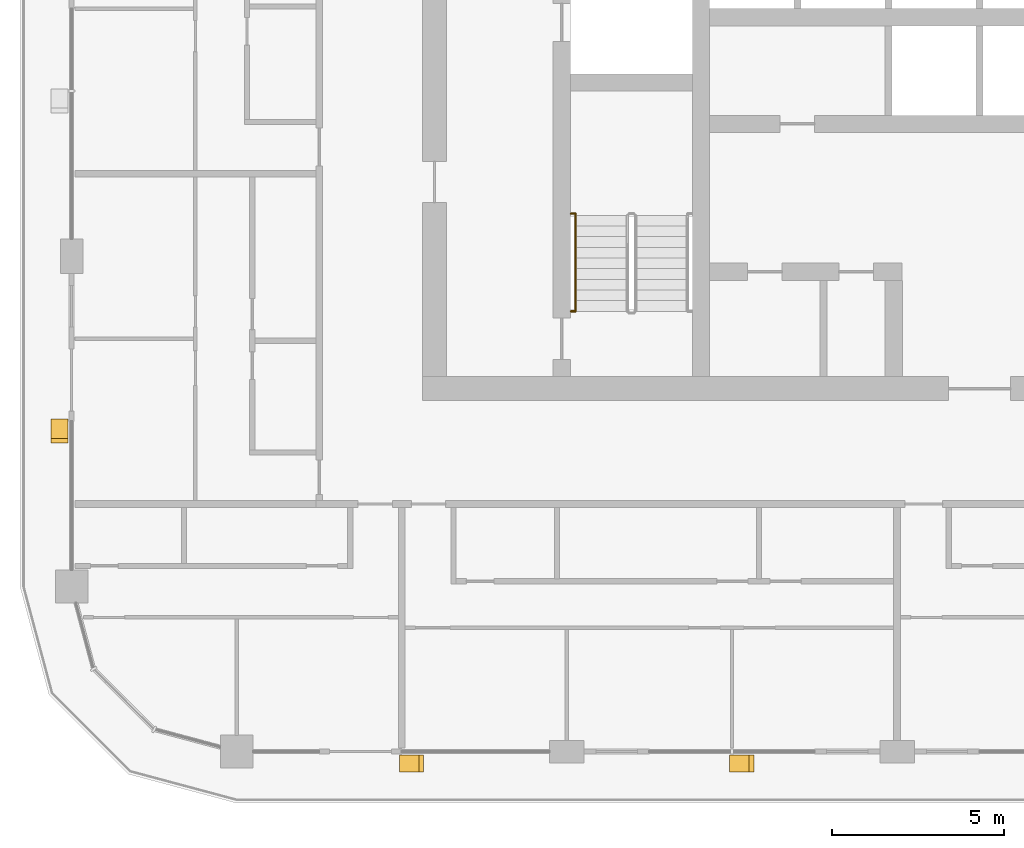
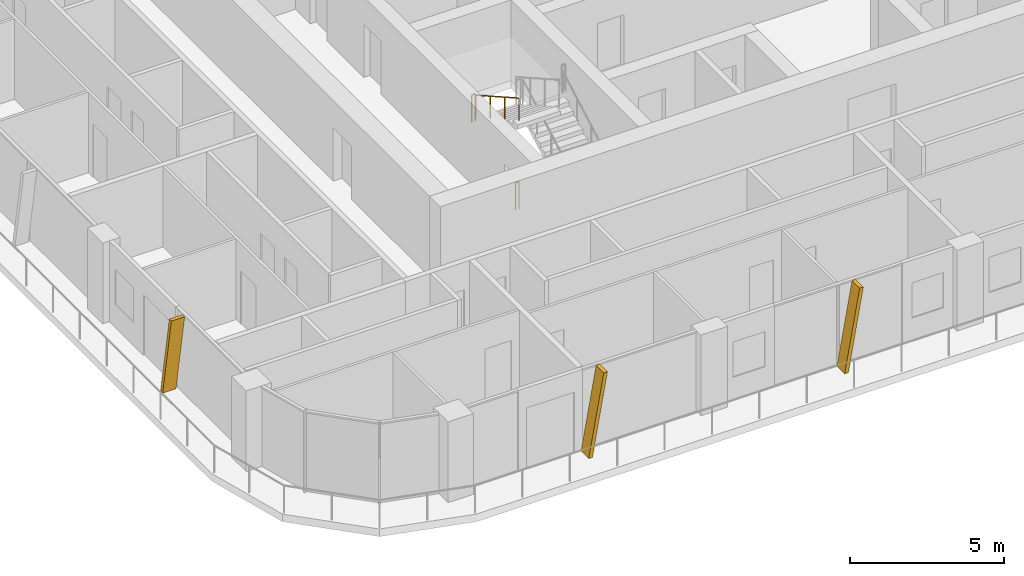
# One storey, part 17 of 23: 3 railings, 3 shading devices.
"""IFC4 building model written with IfcOpenShell, lengths in metres."""

from ifc_helpers import new_model, si_unit, direction, frame, origin, origin_2d, place, context, subcontext, project, spatial, polyline, circle, outline, extrude, material, type_object, element, save


model = new_model("IFC4")

# Units and contexts
model_context = context("Model", 3, precision=1e-05, world=origin(), true_north=direction((0.0, 1.0)))
body_context = subcontext(model_context, "Body", "Model", "MODEL_VIEW")
ifc_project = project(units=[si_unit("LENGTHUNIT", "METRE"), si_unit("AREAUNIT", "SQUARE_METRE"), si_unit("VOLUMEUNIT", "CUBIC_METRE"), si_unit("PLANEANGLEUNIT", "RADIAN"), si_unit("MASSUNIT", "GRAM", prefix="KILO")], contexts=[model_context])

# Site, building, storey
site_placement = place(None, origin())
site = spatial("IfcSite", under=ifc_project, at=site_placement, CompositionType="ELEMENT")
building_placement = place(site_placement, origin())
building = spatial("IfcBuilding", under=site, at=building_placement, Name="Madar Terraces", CompositionType="ELEMENT")
storey_placement = place(building_placement, frame((0.0, 0.0, 226.300048828125)))
storey = spatial("IfcBuildingStorey", under=building, at=storey_placement, Name="L59", CompositionType="ELEMENT", Elevation=226.300048828125)

# Shading devices
ifc_material_1 = material(Name="Aluminium, black anodised", Category="aluminium")
shading_device_type = type_object("IfcShadingDeviceType", Name="Facade fin blade 140 x 500", PredefinedType="USERDEFINED", material=ifc_material_1)
shading_device_1_placement = place(storey_placement, frame((14.330078125, 4.449951171875, 0.0), z_axis=(0.0, 0.0, 1.0), x_axis=(1.0, 0.0, 0.0)))
element("IfcShadingDevice", 1, at=shading_device_1_placement, inside=storey, type_object=shading_device_type, Name="FIN L59 S1", ObjectType="FIN", PredefinedType="USERDEFINED", context=body_context, shape_type="SweptSolid", body=[
    extrude(outline(polyline([(0.0, 0.0), (0.139892578125, 0.0), (0.704345703125, 3.199951171875), (0.564208984375, 3.199951171875), (0.0, 0.0)])), frame((0.0, 0.25, 0.0), z_axis=(0.0, -1.0, 0.0), x_axis=(1.0, 0.0, 0.0)), (0.0, 0.0, 1.0), 0.5),
])
shading_device_2_placement = place(storey_placement, frame((23.929931640625, 4.449951171875, 0.0), z_axis=(0.0, 0.0, 1.0), x_axis=(1.0, 0.0, 0.0)))
element("IfcShadingDevice", 2, at=shading_device_2_placement, inside=storey, type_object=shading_device_type, Name="FIN L59 S2", ObjectType="FIN", PredefinedType="USERDEFINED", context=body_context, shape_type="SweptSolid", body=[
    extrude(outline(polyline([(0.0, 0.0), (0.14013671875, 0.0), (0.704345703125, 3.199951171875), (0.564208984375, 3.199951171875), (0.0, 0.0)])), frame((0.0, 0.25, 0.0), z_axis=(0.0, -1.0, 0.0), x_axis=(1.0, 0.0, 0.0)), (0.0, 0.0, 1.0), 0.5),
])
shading_device_3_placement = place(storey_placement, frame((4.449951171875, 14.469970703125, 0.0), z_axis=(0.0, 0.0, 1.0), x_axis=(0.0, -1.0, 0.0)))
element("IfcShadingDevice", 3, at=shading_device_3_placement, inside=storey, type_object=shading_device_type, Name="FIN L59 W4", ObjectType="FIN", PredefinedType="USERDEFINED", context=body_context, shape_type="SweptSolid", body=[
    extrude(outline(polyline([(0.0, 0.0), (0.139892578125, 0.0), (0.704345703125, 3.199951171875), (0.564208984375, 3.199951171875), (0.0, 0.0)])), frame((0.0, 0.25, 0.0), z_axis=(0.0, -1.0, 0.0), x_axis=(1.0, 0.0, 0.0)), (0.0, 0.0, 1.0), 0.5),
])

# Railings
ifc_material_2 = material(Name="Stainless steel railing", Category="steel")
railing_type_1 = type_object("IfcRailingType", Name="Stair guard 1100", PredefinedType="GUARDRAIL", material=ifc_material_2)
for number, where, name in (
    (4, (19.320068359375, 20.43994140625, 1.75), "L59 stair guard seat 1"),
    (5, (19.320068359375, 17.60009765625, 0.0), "L59 stair guard floor 1"),
):
    element("IfcRailing", number, at=place(storey_placement, frame(where)), inside=storey, type_object=railing_type_1, Name=name, PredefinedType="GUARDRAIL", context=body_context, shape_type="SweptSolid", body=[
        extrude(circle(Radius=0.02392578125, at=origin_2d()), frame((0.0, 0.0, 1.076171875), z_axis=(1.0, 0.0, 0.0), x_axis=(0.0, 1.0, 0.0)), (0.0, 0.0, 1.0), 0.1298828125),
        extrude(circle(Radius=0.02099609375, at=origin_2d()), origin(), (0.0, 0.0, 1.0), 1.052001953125),
        extrude(circle(Radius=0.02099609375, at=origin_2d()), frame((0.1298828125, 0.0, 0.0)), (0.0, 0.0, 1.0), 1.052001953125),
    ])
ifc_material_3 = material(Name="Stainless steel railing", Category="steel")
railing_type_2 = type_object("IfcRailingType", Name="Stair handrail 900", PredefinedType="HANDRAIL", material=ifc_material_3)
railing_placement = place(storey_placement, frame((19.449951171875, 20.389892578125, 1.925048828125)))
element("IfcRailing", 6, at=railing_placement, inside=storey, type_object=railing_type_2, Name="L59 ST1 stair handrail 2", PredefinedType="HANDRAIL", context=body_context, shape_type="SweptSolid", body=[
    extrude(circle(Radius=0.02392578125, at=origin_2d()), frame((0.0, 0.0, 0.8759765625), z_axis=(0.0, -0.870815363784, 0.491610213684), x_axis=(1.0, 0.0, 0.0)), (0.0, 0.0, 1.0), 3.20361328125),
    extrude(circle(Radius=0.02099609375, at=origin_2d()), origin(), (0.0, 0.0, 1.0), 0.851806640625),
    extrude(circle(Radius=0.02099609375, at=origin_2d()), frame((0.0, -0.929931640625, 0.52490234375)), (0.0, 0.0, 1.0), 0.851806640625),
    extrude(circle(Radius=0.02099609375, at=origin_2d()), frame((0.0, -1.85986328125, 1.050048828125)), (0.0, 0.0, 1.0), 0.851806640625),
    extrude(circle(Radius=0.02099609375, at=origin_2d()), frame((0.0, -2.789794921875, 1.574951171875)), (0.0, 0.0, 1.0), 0.851806640625),
])

save(model, "model.ifc")
